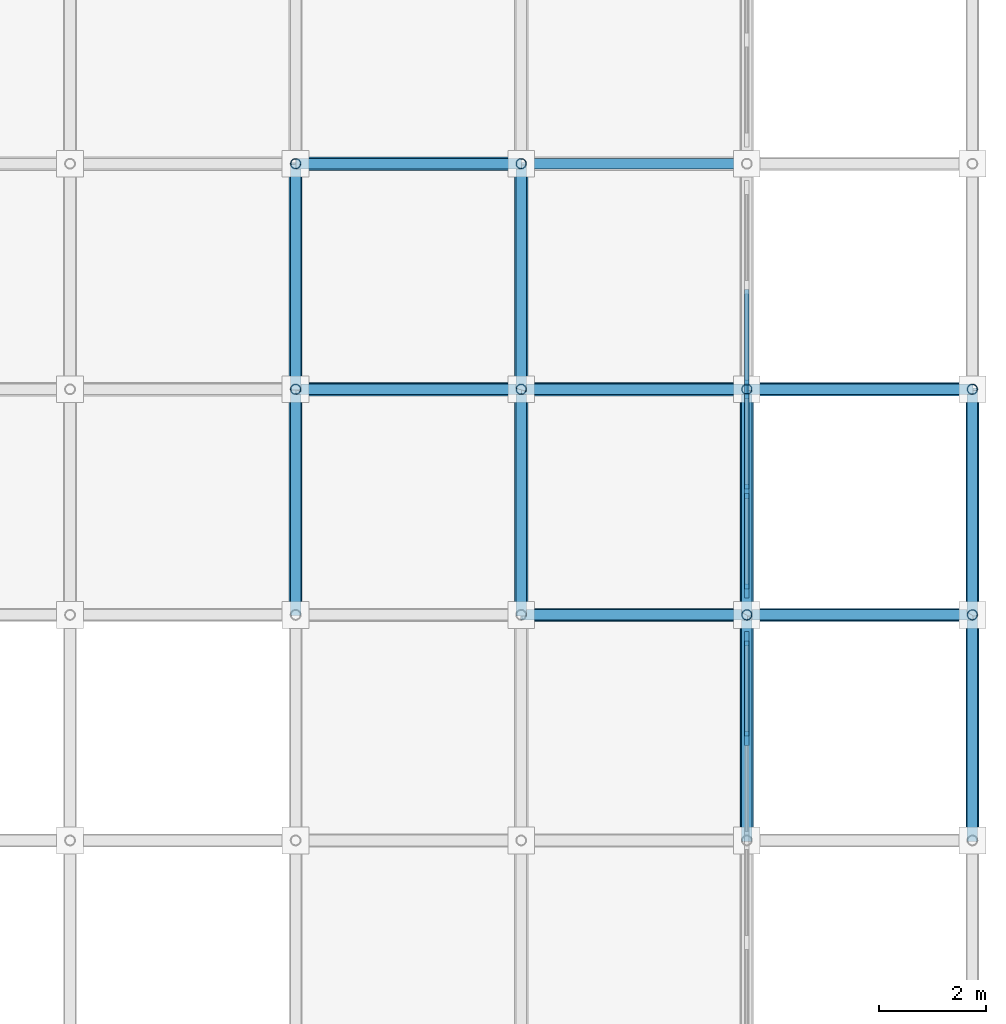
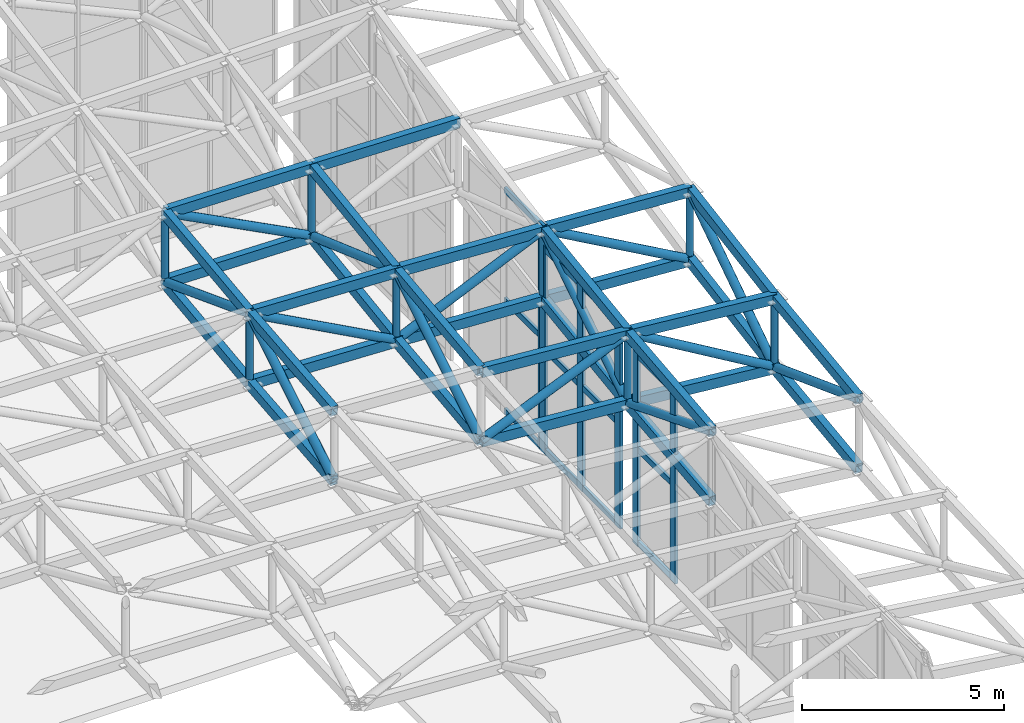
# One storey, part 51 of 123: 69 members, 3 elements without a shape of their own.
"""IFC4 building model written with IfcOpenShell, lengths in metres."""

from ifc_helpers import new_model, si_unit, direction, frame, origin, origin_2d, place, context, subcontext, project, spatial, rectangle, hollow_rectangle, hollow_circle, extrude, material, material_profile, profile_set, type_object, element, aggregate, save


model = new_model("IFC4")

# Units and contexts
model_context = context("Model", 3, precision=1e-05, world=origin(), true_north=direction((0.0, 1.0)))
body_context = subcontext(model_context, "Body", "Model", "MODEL_VIEW")
ifc_project = project(units=[si_unit("LENGTHUNIT", "METRE"), si_unit("AREAUNIT", "SQUARE_METRE"), si_unit("VOLUMEUNIT", "CUBIC_METRE"), si_unit("PLANEANGLEUNIT", "RADIAN"), si_unit("MASSUNIT", "GRAM", prefix="KILO")], contexts=[model_context])

# Site, building, storey
site_placement = place(None, origin())
site = spatial("IfcSite", under=ifc_project, at=site_placement, CompositionType="ELEMENT")
building_placement = place(site_placement, origin())
building = spatial("IfcBuilding", under=site, at=building_placement, Name="Cumbredor Promenade Congress Hotel", CompositionType="ELEMENT")
storey_placement = place(building_placement, frame((0.0, 0.0, 11.760009765625)))
storey = spatial("IfcBuildingStorey", under=building, at=storey_placement, Name="L03", CompositionType="ELEMENT", Elevation=11.760009765625)

# Members
ifc_material_1 = material(Name="Steel ASTM A500 Grade C", Category="steel")
ifc_material_profile_1 = material_profile(ifc_material_1, hollow_rectangle(XDim=0.199951171875, YDim=0.300048828125, WallThickness=0.012451171875, at=origin_2d()), Name="HSS 300x200x12.5")
ifc_profile_set_1 = profile_set([ifc_material_profile_1], Name="Steel ASTM A500 Grade C")
member_type_1 = type_object("IfcMemberType", Name="Ballroom Roof Space Frame Chord", PredefinedType="CHORD", material=ifc_profile_set_1)
for number, where, z_axis, x_axis, name in (
    (1, (180.60009765625, 50.39990234375, 6.430419921875), (0.997042541012, 0.0, -0.076851619449), (0.0, 1.0, 0.0), "Grand Ballroom Pavilion X Top Chord 11.13"),
    (2, (180.60009765625, 50.39990234375, 4.330322265625), (0.997042541012, 0.0, -0.076851619449), (0.0, 1.0, 0.0), "Grand Ballroom Pavilion X Bottom Chord 11.13"),
):
    element("IfcMember", number, at=place(storey_placement, frame(where, z_axis=z_axis, x_axis=x_axis)), inside=storey, type_object=member_type_1, Name=name, PredefinedType="CHORD", context=body_context, shape_type="SweptSolid", body=[
        extrude(hollow_rectangle(XDim=0.199951171875, YDim=0.300048828125, WallThickness=0.012451171875, at=origin_2d()), origin(), (0.0, 0.0, 1.0), 4.21240234375),
    ])
for number, where, z_axis, x_axis, name in (
    (3, (184.800048828125, 50.39990234375, 6.106689453125), (0.995622284371, 0.0, -0.093467999143), (0.0, 1.0, 0.0), "Grand Ballroom Pavilion X Top Chord 12.13"),
    (4, (184.800048828125, 50.39990234375, 4.006591796875), (0.995627668519, 0.0, -0.093410629366), (0.0, 1.0, 0.0), "Grand Ballroom Pavilion X Bottom Chord 12.13"),
):
    element("IfcMember", number, at=place(storey_placement, frame(where, z_axis=z_axis, x_axis=x_axis)), inside=storey, type_object=member_type_1, Name=name, PredefinedType="CHORD", context=body_context, shape_type="SweptSolid", body=[
        extrude(hollow_rectangle(XDim=0.199951171875, YDim=0.300048828125, WallThickness=0.012451171875, at=origin_2d()), origin(), (0.0, 0.0, 1.0), 4.218505859375),
    ])
for number, where, z_axis, x_axis, name in (
    (5, (176.39990234375, 54.60009765625, 7.09130859375), (0.999137496102, 0.0, -0.041524256552), (0.0, 1.0, 0.0), "Grand Ballroom Pavilion X Top Chord 10.14"),
    (6, (176.39990234375, 54.60009765625, 4.9912109375), (0.999137496102, 0.0, -0.041524256552), (0.0, 1.0, 0.0), "Grand Ballroom Pavilion X Bottom Chord 10.14"),
):
    element("IfcMember", number, at=place(storey_placement, frame(where, z_axis=z_axis, x_axis=x_axis)), inside=storey, type_object=member_type_1, Name=name, PredefinedType="CHORD", context=body_context, shape_type="SweptSolid", body=[
        extrude(hollow_rectangle(XDim=0.199951171875, YDim=0.300048828125, WallThickness=0.012451171875, at=origin_2d()), origin(), (0.0, 0.0, 1.0), 4.203857421875),
    ])
for number, where, z_axis, x_axis, name in (
    (7, (180.60009765625, 54.60009765625, 6.916748046875), (0.998569958899, 0.0, -0.05346061339), (0.0, 1.0, 0.0), "Grand Ballroom Pavilion X Top Chord 11.14"),
    (8, (180.60009765625, 54.60009765625, 4.816650390625), (0.998573055983, 0.0, -0.05340273275), (0.0, 1.0, 0.0), "Grand Ballroom Pavilion X Bottom Chord 11.14"),
):
    element("IfcMember", number, at=place(storey_placement, frame(where, z_axis=z_axis, x_axis=x_axis)), inside=storey, type_object=member_type_1, Name=name, PredefinedType="CHORD", context=body_context, shape_type="SweptSolid", body=[
        extrude(hollow_rectangle(XDim=0.199951171875, YDim=0.300048828125, WallThickness=0.012451171875, at=origin_2d()), origin(), (0.0, 0.0, 1.0), 4.2060546875),
    ])
for number, where, z_axis, x_axis, name in (
    (9, (184.800048828125, 54.60009765625, 6.69189453125), (0.997906149499, 0.0, -0.064678565174), (0.0, 1.0, 0.0), "Grand Ballroom Pavilion X Top Chord 12.14"),
    (10, (184.800048828125, 54.60009765625, 4.592041015625), (0.997906149499, 0.0, -0.064678565174), (0.0, 1.0, 0.0), "Grand Ballroom Pavilion X Bottom Chord 12.14"),
):
    element("IfcMember", number, at=place(storey_placement, frame(where, z_axis=z_axis, x_axis=x_axis)), inside=storey, type_object=member_type_1, Name=name, PredefinedType="CHORD", context=body_context, shape_type="SweptSolid", body=[
        extrude(hollow_rectangle(XDim=0.199951171875, YDim=0.300048828125, WallThickness=0.012451171875, at=origin_2d()), origin(), (0.0, 0.0, 1.0), 4.208740234375),
    ])
for number, where, z_axis, x_axis, name in (
    (11, (176.39990234375, 58.800048828125, 7.602294921875), (0.999827058819, 0.0, -0.018597108743), (0.0, 1.0, 0.0), "Grand Ballroom Pavilion X Top Chord 10.15"),
    (12, (176.39990234375, 58.800048828125, 5.502197265625), (0.999828137734, 0.0, -0.018539012784), (0.0, 1.0, 0.0), "Grand Ballroom Pavilion X Bottom Chord 10.15"),
):
    element("IfcMember", number, at=place(storey_placement, frame(where, z_axis=z_axis, x_axis=x_axis)), inside=storey, type_object=member_type_1, Name=name, PredefinedType="CHORD", context=body_context, shape_type="SweptSolid", body=[
        extrude(hollow_rectangle(XDim=0.199951171875, YDim=0.300048828125, WallThickness=0.012451171875, at=origin_2d()), origin(), (0.0, 0.0, 1.0), 4.200927734375),
    ])
member_1_placement = place(storey_placement, frame((180.60009765625, 58.800048828125, 7.524169921875), z_axis=(0.999713338557, 0.0, -0.023942445823), x_axis=(0.0, 1.0, 0.0)))
element("IfcMember", 13, at=member_1_placement, inside=storey, type_object=member_type_1, Name="Grand Ballroom Pavilion X Top Chord 11.15", PredefinedType="CHORD", context=body_context, shape_type="SweptSolid", body=[
    extrude(hollow_rectangle(XDim=0.199951171875, YDim=0.300048828125, WallThickness=0.012451171875, at=origin_2d()), origin(), (0.0, 0.0, 1.0), 4.201171875),
])
for number, where, z_axis, x_axis, name in (
    (14, (176.39990234375, 50.39990234375, 6.68212890625), (0.0, 0.995288260444, 0.096960190915), (-1.0, 0.0, 0.0), "Grand Ballroom Pavilion Y Top Chord 10.13"),
    (15, (176.39990234375, 50.39990234375, 4.582275390625), (0.0, 0.99529384175, 0.096902882175), (-1.0, 0.0, 0.0), "Grand Ballroom Pavilion Y Bottom Chord 10.13"),
):
    element("IfcMember", number, at=place(storey_placement, frame(where, z_axis=z_axis, x_axis=x_axis)), inside=storey, type_object=member_type_1, Name=name, PredefinedType="CHORD", context=body_context, shape_type="SweptSolid", body=[
        extrude(hollow_rectangle(XDim=0.199951171875, YDim=0.300048828125, WallThickness=0.012451171875, at=origin_2d()), origin(), (0.0, 0.0, 1.0), 4.219970703125),
    ])
for number, where, z_axis, x_axis, name in (
    (16, (176.39990234375, 54.60009765625, 7.09130859375), (0.0, 0.992680000349, 0.120774239419), (-1.0, 0.0, 0.0), "Grand Ballroom Pavilion Y Top Chord 10.14"),
    (17, (176.39990234375, 54.60009765625, 4.9912109375), (0.0, 0.992680000349, 0.120774239419), (-1.0, 0.0, 0.0), "Grand Ballroom Pavilion Y Bottom Chord 10.14"),
):
    element("IfcMember", number, at=place(storey_placement, frame(where, z_axis=z_axis, x_axis=x_axis)), inside=storey, type_object=member_type_1, Name=name, PredefinedType="CHORD", context=body_context, shape_type="SweptSolid", body=[
        extrude(hollow_rectangle(XDim=0.199951171875, YDim=0.300048828125, WallThickness=0.012451171875, at=origin_2d()), origin(), (0.0, 0.0, 1.0), 4.23095703125),
    ])
for number, where, z_axis, x_axis, name in (
    (18, (180.60009765625, 50.39990234375, 6.430419921875), (0.0, 0.993363339679, 0.11501858711), (-1.0, 0.0, 0.0), "Grand Ballroom Pavilion Y Top Chord 11.13"),
    (19, (180.60009765625, 50.39990234375, 4.330322265625), (0.0, 0.993363339679, 0.11501858711), (-1.0, 0.0, 0.0), "Grand Ballroom Pavilion Y Bottom Chord 11.13"),
):
    element("IfcMember", number, at=place(storey_placement, frame(where, z_axis=z_axis, x_axis=x_axis)), inside=storey, type_object=member_type_1, Name=name, PredefinedType="CHORD", context=body_context, shape_type="SweptSolid", body=[
        extrude(hollow_rectangle(XDim=0.199951171875, YDim=0.300048828125, WallThickness=0.012451171875, at=origin_2d()), origin(), (0.0, 0.0, 1.0), 4.228271484375),
    ])
for number, where, z_axis, x_axis, name in (
    (20, (180.60009765625, 54.60009765625, 6.916748046875), (0.0, 0.98970292578, 0.143136713326), (-1.0, 0.0, 0.0), "Grand Ballroom Pavilion Y Top Chord 11.14"),
    (21, (180.60009765625, 54.60009765625, 4.816650390625), (0.0, 0.989694774263, 0.143193064764), (-1.0, 0.0, 0.0), "Grand Ballroom Pavilion Y Bottom Chord 11.14"),
):
    element("IfcMember", number, at=place(storey_placement, frame(where, z_axis=z_axis, x_axis=x_axis)), inside=storey, type_object=member_type_1, Name=name, PredefinedType="CHORD", context=body_context, shape_type="SweptSolid", body=[
        extrude(hollow_rectangle(XDim=0.199951171875, YDim=0.300048828125, WallThickness=0.012451171875, at=origin_2d()), origin(), (0.0, 0.0, 1.0), 4.24365234375),
    ])
for number, where, z_axis, x_axis, name in (
    (22, (184.800048828125, 46.199951171875, 5.66748046875), (0.0, 0.994576500093, 0.10400762214), (-1.0, 0.0, 0.0), "Grand Ballroom Pavilion Y Top Chord 12.12"),
    (23, (184.800048828125, 46.199951171875, 3.5673828125), (0.0, 0.994576500093, 0.10400762214), (-1.0, 0.0, 0.0), "Grand Ballroom Pavilion Y Bottom Chord 12.12"),
):
    element("IfcMember", number, at=place(storey_placement, frame(where, z_axis=z_axis, x_axis=x_axis)), inside=storey, type_object=member_type_1, Name=name, PredefinedType="CHORD", context=body_context, shape_type="SweptSolid", body=[
        extrude(hollow_rectangle(XDim=0.199951171875, YDim=0.300048828125, WallThickness=0.012451171875, at=origin_2d()), origin(), (0.0, 0.0, 1.0), 4.222900390625),
    ])
for number, where, z_axis, x_axis, name in (
    (24, (184.800048828125, 50.39990234375, 6.106689453125), (0.0, 0.990432911688, 0.137995099356), (-1.0, 0.0, 0.0), "Grand Ballroom Pavilion Y Top Chord 12.13"),
    (25, (184.800048828125, 50.39990234375, 4.006591796875), (0.0, 0.990425041778, 0.138051572319), (-1.0, 0.0, 0.0), "Grand Ballroom Pavilion Y Bottom Chord 12.13"),
):
    element("IfcMember", number, at=place(storey_placement, frame(where, z_axis=z_axis, x_axis=x_axis)), inside=storey, type_object=member_type_1, Name=name, PredefinedType="CHORD", context=body_context, shape_type="SweptSolid", body=[
        extrude(hollow_rectangle(XDim=0.199951171875, YDim=0.300048828125, WallThickness=0.012451171875, at=origin_2d()), origin(), (0.0, 0.0, 1.0), 4.24072265625),
    ])
for number, where, z_axis, x_axis, name in (
    (26, (189.0, 46.199951171875, 5.181884765625), (0.0, 0.992116453102, 0.125319365959), (-1.0, 0.0, 0.0), "Grand Ballroom Pavilion Y Top Chord 13.12"),
    (27, (189.0, 46.199951171875, 3.08203125), (0.0, 0.992116453102, 0.125319365959), (-1.0, 0.0, 0.0), "Grand Ballroom Pavilion Y Bottom Chord 13.12"),
):
    element("IfcMember", number, at=place(storey_placement, frame(where, z_axis=z_axis, x_axis=x_axis)), inside=storey, type_object=member_type_1, Name=name, PredefinedType="CHORD", context=body_context, shape_type="SweptSolid", body=[
        extrude(hollow_rectangle(XDim=0.199951171875, YDim=0.300048828125, WallThickness=0.012451171875, at=origin_2d()), origin(), (0.0, 0.0, 1.0), 4.2333984375),
    ])
for number, where, z_axis, x_axis, name in (
    (28, (189.0, 50.39990234375, 5.71240234375), (0.0, 0.986116785193, 0.166053262422), (-1.0, 0.0, 0.0), "Grand Ballroom Pavilion Y Top Chord 13.13"),
    (29, (189.0, 50.39990234375, 3.612548828125), (0.0, 0.986116785193, 0.166053262422), (-1.0, 0.0, 0.0), "Grand Ballroom Pavilion Y Bottom Chord 13.13"),
):
    element("IfcMember", number, at=place(storey_placement, frame(where, z_axis=z_axis, x_axis=x_axis)), inside=storey, type_object=member_type_1, Name=name, PredefinedType="CHORD", context=body_context, shape_type="SweptSolid", body=[
        extrude(hollow_rectangle(XDim=0.199951171875, YDim=0.300048828125, WallThickness=0.012451171875, at=origin_2d()), origin(), (0.0, 0.0, 1.0), 4.25927734375),
    ])

# Curtain wall, members
ifc_material_2 = material(Name="Thermally broken anodized aluminium and low-E glass", Category="aluminium")
curtain_wall_type = type_object("IfcCurtainWallType", Name="Stepped Pavilion Clerestory Curtain Wall CW-06", PredefinedType="NOTDEFINED", material=ifc_material_2)
curtain_wall_1_placement = place(storey_placement, origin())
curtain_wall_1 = element("IfcCurtainWall", 30, at=curtain_wall_1_placement, inside=storey, type_object=curtain_wall_type, Name="Grand Ballroom Pavilion E Glazed Clerestory 10", PredefinedType="NOTDEFINED")
ifc_material_3 = material(Name="Thermally broken anodized aluminium", Category="aluminium")
ifc_material_profile_2 = material_profile(ifc_material_3, rectangle(XDim=0.0849609375, YDim=0.260009765625, at=origin_2d()), Name="ALU MULLION CLERESTORY 85x260")
ifc_profile_set_2 = profile_set([ifc_material_profile_2], Name="Thermally broken anodized aluminium")
member_type_2 = type_object("IfcMemberType", Name="Curtain Wall Mullion ML-04", PredefinedType="MULLION", material=ifc_profile_set_2)
member_2_placement = place(storey_placement, frame((184.800048828125, 48.10009765625, -0.01806640625), z_axis=(0.0, 0.0, 1.0), x_axis=(1.0, 0.0, 0.0)))
member_2 = element("IfcMember", 31, at=member_2_placement, type_object=member_type_2, Name="Grand Ballroom Pavilion E Glazed Clerestory 10 Mullion 2", PredefinedType="MULLION", context=body_context, shape_type="SweptSolid", body=[
    extrude(rectangle(XDim=0.0849609375, YDim=0.260009765625, at=origin_2d()), origin(), (0.0, 0.0, 1.0), 5.861572265625),
])
member_3_placement = place(storey_placement, frame((184.800048828125, 49.9599609375, -0.01806640625), z_axis=(0.0, 0.0, 1.0), x_axis=(1.0, 0.0, 0.0)))
member_3 = element("IfcMember", 32, at=member_3_placement, type_object=member_type_2, Name="Grand Ballroom Pavilion E Glazed Clerestory 10 Mullion 3", PredefinedType="MULLION", context=body_context, shape_type="SweptSolid", body=[
    extrude(rectangle(XDim=0.0849609375, YDim=0.260009765625, at=origin_2d()), origin(), (0.0, 0.0, 1.0), 5.861572265625),
])

curtain_wall_2_placement = place(storey_placement, origin())
curtain_wall_2 = element("IfcCurtainWall", 33, at=curtain_wall_2_placement, inside=storey, type_object=curtain_wall_type, Name="Grand Ballroom Pavilion E Glazed Clerestory 11", PredefinedType="NOTDEFINED")
member_4_placement = place(storey_placement, frame((184.800048828125, 50.840087890625, -0.01806640625), z_axis=(0.0, 0.0, 1.0), x_axis=(1.0, 0.0, 0.0)))
member_4 = element("IfcMember", 34, at=member_4_placement, type_object=member_type_2, Name="Grand Ballroom Pavilion E Glazed Clerestory 11 Mullion 1", PredefinedType="MULLION", context=body_context, shape_type="SweptSolid", body=[
    extrude(rectangle(XDim=0.0849609375, YDim=0.260009765625, at=origin_2d()), origin(), (0.0, 0.0, 1.0), 6.300537109375),
])
member_5_placement = place(storey_placement, frame((184.800048828125, 52.699951171875, -0.01806640625), z_axis=(0.0, 0.0, 1.0), x_axis=(1.0, 0.0, 0.0)))
member_5 = element("IfcMember", 35, at=member_5_placement, type_object=member_type_2, Name="Grand Ballroom Pavilion E Glazed Clerestory 11 Mullion 2", PredefinedType="MULLION", context=body_context, shape_type="SweptSolid", body=[
    extrude(rectangle(XDim=0.0849609375, YDim=0.260009765625, at=origin_2d()), origin(), (0.0, 0.0, 1.0), 6.300537109375),
])
member_6_placement = place(storey_placement, frame((184.800048828125, 54.56005859375, -0.01806640625), z_axis=(0.0, 0.0, 1.0), x_axis=(1.0, 0.0, 0.0)))
member_6 = element("IfcMember", 36, at=member_6_placement, type_object=member_type_2, Name="Grand Ballroom Pavilion E Glazed Clerestory 11 Mullion 3", PredefinedType="MULLION", context=body_context, shape_type="SweptSolid", body=[
    extrude(rectangle(XDim=0.0849609375, YDim=0.260009765625, at=origin_2d()), origin(), (0.0, 0.0, 1.0), 6.300537109375),
])

# Curtain wall, member
curtain_wall_3_placement = place(storey_placement, origin())
curtain_wall_3 = element("IfcCurtainWall", 37, at=curtain_wall_3_placement, inside=storey, type_object=curtain_wall_type, Name="Grand Ballroom Pavilion E Glazed Clerestory 12", PredefinedType="NOTDEFINED")
member_7_placement = place(storey_placement, frame((184.800048828125, 54.639892578125, -0.01806640625), z_axis=(0.0, 0.0, 1.0), x_axis=(1.0, 0.0, 0.0)))
member_7 = element("IfcMember", 38, at=member_7_placement, type_object=member_type_2, Name="Grand Ballroom Pavilion E Glazed Clerestory 12 Mullion 1", PredefinedType="MULLION", context=body_context, shape_type="SweptSolid", body=[
    extrude(rectangle(XDim=0.0849609375, YDim=0.260009765625, at=origin_2d()), origin(), (0.0, 0.0, 1.0), 6.885986328125),
])

# Member
ifc_material_profile_3 = material_profile(ifc_material_3, rectangle(XDim=0.080078125, YDim=0.179931640625, at=origin_2d()), Name="ALU TRANSOM 80x180")
ifc_profile_set_3 = profile_set([ifc_material_profile_3], Name="Thermally broken anodized aluminium")
member_type_3 = type_object("IfcMemberType", Name="Curtain Wall Transom TR-03", PredefinedType="USERDEFINED", material=ifc_profile_set_3)
member_8_placement = place(storey_placement, frame((184.800048828125, 48.142578125, 0.080078125), z_axis=(0.0, 1.0, 0.0), x_axis=(-1.0, 0.0, 0.0)))
member_8 = element("IfcMember", 39, at=member_8_placement, type_object=member_type_3, Name="Grand Ballroom Pavilion E Glazed Clerestory 10 Transom 2.1", ObjectType="TRANSOM", PredefinedType="USERDEFINED", context=body_context, shape_type="SweptSolid", body=[
    extrude(rectangle(XDim=0.080078125, YDim=0.179931640625, at=origin_2d()), origin(), (0.0, 0.0, 1.0), 1.77490234375),
])

member_9_placement = place(storey_placement, frame((184.800048828125, 48.142578125, 2.919921875), z_axis=(0.0, 1.0, 0.0), x_axis=(-1.0, 0.0, 0.0)))
member_9 = element("IfcMember", 40, at=member_9_placement, type_object=member_type_3, Name="Grand Ballroom Pavilion E Glazed Clerestory 10 Transom 2.2", ObjectType="TRANSOM", PredefinedType="USERDEFINED", context=body_context, shape_type="SweptSolid", body=[
    extrude(rectangle(XDim=0.080078125, YDim=0.179931640625, at=origin_2d()), origin(), (0.0, 0.0, 1.0), 1.77490234375),
])

member_10_placement = place(storey_placement, frame((184.800048828125, 48.142578125, 5.75), z_axis=(0.0, 1.0, 0.0), x_axis=(-1.0, 0.0, 0.0)))
member_10 = element("IfcMember", 41, at=member_10_placement, type_object=member_type_3, Name="Grand Ballroom Pavilion E Glazed Clerestory 10 Transom 2.3", ObjectType="TRANSOM", PredefinedType="USERDEFINED", context=body_context, shape_type="SweptSolid", body=[
    extrude(rectangle(XDim=0.080078125, YDim=0.179931640625, at=origin_2d()), origin(), (0.0, 0.0, 1.0), 1.77490234375),
])

aggregate(curtain_wall_1, [member_2, member_3, member_8, member_9, member_10])

member_11_placement = place(storey_placement, frame((184.800048828125, 50.882568359375, 0.080078125), z_axis=(0.0, 1.0, 0.0), x_axis=(-1.0, 0.0, 0.0)))
member_11 = element("IfcMember", 42, at=member_11_placement, type_object=member_type_3, Name="Grand Ballroom Pavilion E Glazed Clerestory 11 Transom 1.1", ObjectType="TRANSOM", PredefinedType="USERDEFINED", context=body_context, shape_type="SweptSolid", body=[
    extrude(rectangle(XDim=0.080078125, YDim=0.179931640625, at=origin_2d()), origin(), (0.0, 0.0, 1.0), 1.77490234375),
])

member_12_placement = place(storey_placement, frame((184.800048828125, 50.882568359375, 3.1298828125), z_axis=(0.0, 1.0, 0.0), x_axis=(-1.0, 0.0, 0.0)))
member_12 = element("IfcMember", 43, at=member_12_placement, type_object=member_type_3, Name="Grand Ballroom Pavilion E Glazed Clerestory 11 Transom 1.2", ObjectType="TRANSOM", PredefinedType="USERDEFINED", context=body_context, shape_type="SweptSolid", body=[
    extrude(rectangle(XDim=0.080078125, YDim=0.179931640625, at=origin_2d()), origin(), (0.0, 0.0, 1.0), 1.77490234375),
])

member_13_placement = place(storey_placement, frame((184.800048828125, 50.882568359375, 6.179931640625), z_axis=(0.0, 1.0, 0.0), x_axis=(-1.0, 0.0, 0.0)))
member_13 = element("IfcMember", 44, at=member_13_placement, type_object=member_type_3, Name="Grand Ballroom Pavilion E Glazed Clerestory 11 Transom 1.3", ObjectType="TRANSOM", PredefinedType="USERDEFINED", context=body_context, shape_type="SweptSolid", body=[
    extrude(rectangle(XDim=0.080078125, YDim=0.179931640625, at=origin_2d()), origin(), (0.0, 0.0, 1.0), 1.77490234375),
])

member_14_placement = place(storey_placement, frame((184.800048828125, 52.742431640625, 0.080078125), z_axis=(0.0, 1.0, 0.0), x_axis=(-1.0, 0.0, 0.0)))
member_14 = element("IfcMember", 45, at=member_14_placement, type_object=member_type_3, Name="Grand Ballroom Pavilion E Glazed Clerestory 11 Transom 2.1", ObjectType="TRANSOM", PredefinedType="USERDEFINED", context=body_context, shape_type="SweptSolid", body=[
    extrude(rectangle(XDim=0.080078125, YDim=0.179931640625, at=origin_2d()), origin(), (0.0, 0.0, 1.0), 1.775146484375),
])

member_15_placement = place(storey_placement, frame((184.800048828125, 52.742431640625, 3.1298828125), z_axis=(0.0, 1.0, 0.0), x_axis=(-1.0, 0.0, 0.0)))
member_15 = element("IfcMember", 46, at=member_15_placement, type_object=member_type_3, Name="Grand Ballroom Pavilion E Glazed Clerestory 11 Transom 2.2", ObjectType="TRANSOM", PredefinedType="USERDEFINED", context=body_context, shape_type="SweptSolid", body=[
    extrude(rectangle(XDim=0.080078125, YDim=0.179931640625, at=origin_2d()), origin(), (0.0, 0.0, 1.0), 1.775146484375),
])

member_16_placement = place(storey_placement, frame((184.800048828125, 52.742431640625, 6.179931640625), z_axis=(0.0, 1.0, 0.0), x_axis=(-1.0, 0.0, 0.0)))
member_16 = element("IfcMember", 47, at=member_16_placement, type_object=member_type_3, Name="Grand Ballroom Pavilion E Glazed Clerestory 11 Transom 2.3", ObjectType="TRANSOM", PredefinedType="USERDEFINED", context=body_context, shape_type="SweptSolid", body=[
    extrude(rectangle(XDim=0.080078125, YDim=0.179931640625, at=origin_2d()), origin(), (0.0, 0.0, 1.0), 1.775146484375),
])

aggregate(curtain_wall_2, [member_4, member_5, member_6, member_11, member_12, member_13, member_14, member_15, member_16])

member_17_placement = place(storey_placement, frame((184.800048828125, 54.6826171875, 0.080078125), z_axis=(0.0, 1.0, 0.0), x_axis=(-1.0, 0.0, 0.0)))
member_17 = element("IfcMember", 48, at=member_17_placement, type_object=member_type_3, Name="Grand Ballroom Pavilion E Glazed Clerestory 12 Transom 1.1", ObjectType="TRANSOM", PredefinedType="USERDEFINED", context=body_context, shape_type="SweptSolid", body=[
    extrude(rectangle(XDim=0.080078125, YDim=0.179931640625, at=origin_2d()), origin(), (0.0, 0.0, 1.0), 1.77490234375),
])

member_18_placement = place(storey_placement, frame((184.800048828125, 54.6826171875, 3.429931640625), z_axis=(0.0, 1.0, 0.0), x_axis=(-1.0, 0.0, 0.0)))
member_18 = element("IfcMember", 49, at=member_18_placement, type_object=member_type_3, Name="Grand Ballroom Pavilion E Glazed Clerestory 12 Transom 1.2", ObjectType="TRANSOM", PredefinedType="USERDEFINED", context=body_context, shape_type="SweptSolid", body=[
    extrude(rectangle(XDim=0.080078125, YDim=0.179931640625, at=origin_2d()), origin(), (0.0, 0.0, 1.0), 1.77490234375),
])

member_19_placement = place(storey_placement, frame((184.800048828125, 54.6826171875, 6.77001953125), z_axis=(0.0, 1.0, 0.0), x_axis=(-1.0, 0.0, 0.0)))
member_19 = element("IfcMember", 50, at=member_19_placement, type_object=member_type_3, Name="Grand Ballroom Pavilion E Glazed Clerestory 12 Transom 1.3", ObjectType="TRANSOM", PredefinedType="USERDEFINED", context=body_context, shape_type="SweptSolid", body=[
    extrude(rectangle(XDim=0.080078125, YDim=0.179931640625, at=origin_2d()), origin(), (0.0, 0.0, 1.0), 1.77490234375),
])

aggregate(curtain_wall_3, [member_7, member_17, member_18, member_19])

# Members
ifc_material_profile_4 = material_profile(ifc_material_1, hollow_circle(Radius=0.122314453125, WallThickness=0.012451171875, at=origin_2d()), Name="CHS 244.5x12.5")
ifc_profile_set_4 = profile_set([ifc_material_profile_4], Name="Steel ASTM A500 Grade C")
member_type_4 = type_object("IfcMemberType", Name="Space Frame Web Diagonal D2", PredefinedType="BRACE", material=ifc_profile_set_4)
member_20_placement = place(storey_placement, frame((180.60009765625, 50.39990234375, 4.330322265625), z_axis=(0.921009363818, 0.0, 0.389540436618), x_axis=(0.0, 1.0, 0.0)))
element("IfcMember", 51, at=member_20_placement, inside=storey, type_object=member_type_4, Name="Grand Ballroom Pavilion X Web Diagonal 11.13", PredefinedType="BRACE", context=body_context, shape_type="SweptSolid", body=[
    extrude(hollow_circle(Radius=0.122314453125, WallThickness=0.012451171875, at=origin_2d()), origin(), (0.0, 0.0, 1.0), 4.56005859375),
])
member_21_placement = place(storey_placement, frame((184.800048828125, 50.39990234375, 6.106689453125), z_axis=(0.859817030467, 0.0, -0.510602266073), x_axis=(0.0, 1.0, 0.0)))
element("IfcMember", 52, at=member_21_placement, inside=storey, type_object=member_type_4, Name="Grand Ballroom Pavilion X Web Diagonal 12.13", PredefinedType="BRACE", context=body_context, shape_type="SweptSolid", body=[
    extrude(hollow_circle(Radius=0.122314453125, WallThickness=0.012451171875, at=origin_2d()), origin(), (0.0, 0.0, 1.0), 4.884765625),
])
member_22_placement = place(storey_placement, frame((176.39990234375, 54.60009765625, 7.09130859375), z_axis=(0.879331206607, 0.0, -0.476210698207), x_axis=(0.0, 1.0, 0.0)))
element("IfcMember", 53, at=member_22_placement, inside=storey, type_object=member_type_4, Name="Grand Ballroom Pavilion X Web Diagonal 10.14", PredefinedType="BRACE", context=body_context, shape_type="SweptSolid", body=[
    extrude(hollow_circle(Radius=0.122314453125, WallThickness=0.012451171875, at=origin_2d()), origin(), (0.0, 0.0, 1.0), 4.776611328125),
])
member_23_placement = place(storey_placement, frame((180.60009765625, 54.60009765625, 4.816650390625), z_axis=(0.913116358877, 0.0, 0.407699049732), x_axis=(0.0, 1.0, 0.0)))
element("IfcMember", 54, at=member_23_placement, inside=storey, type_object=member_type_4, Name="Grand Ballroom Pavilion X Web Diagonal 11.14", PredefinedType="BRACE", context=body_context, shape_type="SweptSolid", body=[
    extrude(hollow_circle(Radius=0.122314453125, WallThickness=0.012451171875, at=origin_2d()), origin(), (0.0, 0.0, 1.0), 4.599609375),
])
member_24_placement = place(storey_placement, frame((184.800048828125, 54.60009765625, 6.69189453125), z_axis=(0.870723990269, 0.0, -0.491772033335), x_axis=(0.0, 1.0, 0.0)))
element("IfcMember", 55, at=member_24_placement, inside=storey, type_object=member_type_4, Name="Grand Ballroom Pavilion X Web Diagonal 12.14", PredefinedType="BRACE", context=body_context, shape_type="SweptSolid", body=[
    extrude(hollow_circle(Radius=0.122314453125, WallThickness=0.012451171875, at=origin_2d()), origin(), (0.0, 0.0, 1.0), 4.823486328125),
])
member_25_placement = place(storey_placement, frame((176.39990234375, 58.800048828125, 7.602294921875), z_axis=(0.887745940403, 0.0, -0.460333732523), x_axis=(0.0, 1.0, 0.0)))
element("IfcMember", 56, at=member_25_placement, inside=storey, type_object=member_type_4, Name="Grand Ballroom Pavilion X Web Diagonal 10.15", PredefinedType="BRACE", context=body_context, shape_type="SweptSolid", body=[
    extrude(hollow_circle(Radius=0.122314453125, WallThickness=0.012451171875, at=origin_2d()), origin(), (0.0, 0.0, 1.0), 4.731201171875),
])
member_26_placement = place(storey_placement, frame((176.39990234375, 50.39990234375, 4.582275390625), z_axis=(0.0, 0.858490788357, 0.512828983489), x_axis=(-1.0, 0.0, 0.0)))
element("IfcMember", 57, at=member_26_placement, inside=storey, type_object=member_type_4, Name="Grand Ballroom Pavilion Y Web Diagonal 10.13", PredefinedType="BRACE", context=body_context, shape_type="SweptSolid", body=[
    extrude(hollow_circle(Radius=0.122314453125, WallThickness=0.012451171875, at=origin_2d()), origin(), (0.0, 0.0, 1.0), 4.892578125),
])
member_27_placement = place(storey_placement, frame((176.39990234375, 54.60009765625, 7.09130859375), z_axis=(0.0, 0.935290634607, -0.353880529016), x_axis=(-1.0, 0.0, 0.0)))
element("IfcMember", 58, at=member_27_placement, inside=storey, type_object=member_type_4, Name="Grand Ballroom Pavilion Y Web Diagonal 10.14", PredefinedType="BRACE", context=body_context, shape_type="SweptSolid", body=[
    extrude(hollow_circle(Radius=0.122314453125, WallThickness=0.012451171875, at=origin_2d()), origin(), (0.0, 0.0, 1.0), 4.490478515625),
])
member_28_placement = place(storey_placement, frame((180.60009765625, 50.39990234375, 4.330322265625), z_axis=(0.0, 0.851505335711, 0.524345938533), x_axis=(-1.0, 0.0, 0.0)))
element("IfcMember", 59, at=member_28_placement, inside=storey, type_object=member_type_4, Name="Grand Ballroom Pavilion Y Web Diagonal 11.13", PredefinedType="BRACE", context=body_context, shape_type="SweptSolid", body=[
    extrude(hollow_circle(Radius=0.122314453125, WallThickness=0.012451171875, at=origin_2d()), origin(), (0.0, 0.0, 1.0), 4.9326171875),
])
member_29_placement = place(storey_placement, frame((180.60009765625, 54.60009765625, 6.916748046875), z_axis=(0.0, 0.942277300128, -0.334833525297), x_axis=(-1.0, 0.0, 0.0)))
element("IfcMember", 60, at=member_29_placement, inside=storey, type_object=member_type_4, Name="Grand Ballroom Pavilion Y Web Diagonal 11.14", PredefinedType="BRACE", context=body_context, shape_type="SweptSolid", body=[
    extrude(hollow_circle(Radius=0.122314453125, WallThickness=0.012451171875, at=origin_2d()), origin(), (0.0, 0.0, 1.0), 4.457275390625),
])
member_30_placement = place(storey_placement, frame((184.800048828125, 46.199951171875, 5.66748046875), z_axis=(0.0, 0.929927190397, -0.367743688675), x_axis=(-1.0, 0.0, 0.0)))
element("IfcMember", 61, at=member_30_placement, inside=storey, type_object=member_type_4, Name="Grand Ballroom Pavilion Y Web Diagonal 12.12", PredefinedType="BRACE", context=body_context, shape_type="SweptSolid", body=[
    extrude(hollow_circle(Radius=0.122314453125, WallThickness=0.012451171875, at=origin_2d()), origin(), (0.0, 0.0, 1.0), 4.516357421875),
])
member_31_placement = place(storey_placement, frame((184.800048828125, 50.39990234375, 4.006591796875), z_axis=(0.0, 0.842528342713, 0.538652013572), x_axis=(-1.0, 0.0, 0.0)))
element("IfcMember", 62, at=member_31_placement, inside=storey, type_object=member_type_4, Name="Grand Ballroom Pavilion Y Web Diagonal 12.13", PredefinedType="BRACE", context=body_context, shape_type="SweptSolid", body=[
    extrude(hollow_circle(Radius=0.122314453125, WallThickness=0.012451171875, at=origin_2d()), origin(), (0.0, 0.0, 1.0), 4.985107421875),
])
member_32_placement = place(storey_placement, frame((189.0, 46.199951171875, 5.181884765625), z_axis=(0.0, 0.936742513249, -0.350019233574), x_axis=(-1.0, 0.0, 0.0)))
element("IfcMember", 63, at=member_32_placement, inside=storey, type_object=member_type_4, Name="Grand Ballroom Pavilion Y Web Diagonal 13.12", PredefinedType="BRACE", context=body_context, shape_type="SweptSolid", body=[
    extrude(hollow_circle(Radius=0.122314453125, WallThickness=0.012451171875, at=origin_2d()), origin(), (0.0, 0.0, 1.0), 4.483642578125),
])
member_33_placement = place(storey_placement, frame((189.0, 50.39990234375, 3.612548828125), z_axis=(0.0, 0.831410343846, 0.555658924293), x_axis=(-1.0, 0.0, 0.0)))
element("IfcMember", 64, at=member_33_placement, inside=storey, type_object=member_type_4, Name="Grand Ballroom Pavilion Y Web Diagonal 13.13", PredefinedType="BRACE", context=body_context, shape_type="SweptSolid", body=[
    extrude(hollow_circle(Radius=0.122314453125, WallThickness=0.012451171875, at=origin_2d()), origin(), (0.0, 0.0, 1.0), 5.052001953125),
])
ifc_material_profile_5 = material_profile(ifc_material_1, hollow_circle(Radius=0.096923828125, WallThickness=0.010009765625, at=origin_2d()), Name="CHS 193.7x10")
ifc_profile_set_5 = profile_set([ifc_material_profile_5], Name="Steel ASTM A500 Grade C")
member_type_5 = type_object("IfcMemberType", Name="Space Frame Web Post P1", PredefinedType="BRACE", material=ifc_profile_set_5)
for number, where, z_axis, x_axis, name in (
    (65, (176.39990234375, 54.60009765625, 4.9912109375), (0.0, 0.0, 1.0), (1.0, 0.0, 0.0), "Grand Ballroom Pavilion Space Frame Web Post 10.14"),
    (66, (176.39990234375, 58.800048828125, 5.502197265625), (0.0, 0.0, 1.0), (1.0, 0.0, 0.0), "Grand Ballroom Pavilion Space Frame Web Post 10.15"),
    (67, (180.60009765625, 54.60009765625, 4.816650390625), (0.0, 0.0, 1.0), (1.0, 0.0, 0.0), "Grand Ballroom Pavilion Space Frame Web Post 11.14"),
):
    element("IfcMember", number, at=place(storey_placement, frame(where, z_axis=z_axis, x_axis=x_axis)), inside=storey, type_object=member_type_5, Name=name, PredefinedType="BRACE", context=body_context, shape_type="SweptSolid", body=[
        extrude(hollow_circle(Radius=0.096923828125, WallThickness=0.010009765625, at=origin_2d()), origin(), (0.0, 0.0, 1.0), 2.10009765625),
    ])
member_34_placement = place(storey_placement, frame((180.60009765625, 58.800048828125, 5.42431640625), z_axis=(0.0, 0.0, 1.0), x_axis=(1.0, 0.0, 0.0)))
element("IfcMember", 68, at=member_34_placement, inside=storey, type_object=member_type_5, Name="Grand Ballroom Pavilion Space Frame Web Post 11.15", PredefinedType="BRACE", context=body_context, shape_type="SweptSolid", body=[
    extrude(hollow_circle(Radius=0.096923828125, WallThickness=0.010009765625, at=origin_2d()), origin(), (0.0, 0.0, 1.0), 2.099853515625),
])
member_35_placement = place(storey_placement, frame((184.800048828125, 50.39990234375, 4.006591796875), z_axis=(0.0, 0.0, 1.0), x_axis=(1.0, 0.0, 0.0)))
element("IfcMember", 69, at=member_35_placement, inside=storey, type_object=member_type_5, Name="Grand Ballroom Pavilion Space Frame Web Post 12.13", PredefinedType="BRACE", context=body_context, shape_type="SweptSolid", body=[
    extrude(hollow_circle(Radius=0.096923828125, WallThickness=0.010009765625, at=origin_2d()), origin(), (0.0, 0.0, 1.0), 2.10009765625),
])
for number, where, z_axis, x_axis, name in (
    (70, (184.800048828125, 54.60009765625, 4.592041015625), (0.0, 0.0, 1.0), (1.0, 0.0, 0.0), "Grand Ballroom Pavilion Space Frame Web Post 12.14"),
    (71, (189.0, 50.39990234375, 3.612548828125), (0.0, 0.0, 1.0), (1.0, 0.0, 0.0), "Grand Ballroom Pavilion Space Frame Web Post 13.13"),
    (72, (189.0, 54.60009765625, 4.31982421875), (0.0, 0.0, 1.0), (1.0, 0.0, 0.0), "Grand Ballroom Pavilion Space Frame Web Post 13.14"),
):
    element("IfcMember", number, at=place(storey_placement, frame(where, z_axis=z_axis, x_axis=x_axis)), inside=storey, type_object=member_type_5, Name=name, PredefinedType="BRACE", context=body_context, shape_type="SweptSolid", body=[
        extrude(hollow_circle(Radius=0.096923828125, WallThickness=0.010009765625, at=origin_2d()), origin(), (0.0, 0.0, 1.0), 2.099853515625),
    ])

save(model, "model.ifc")
